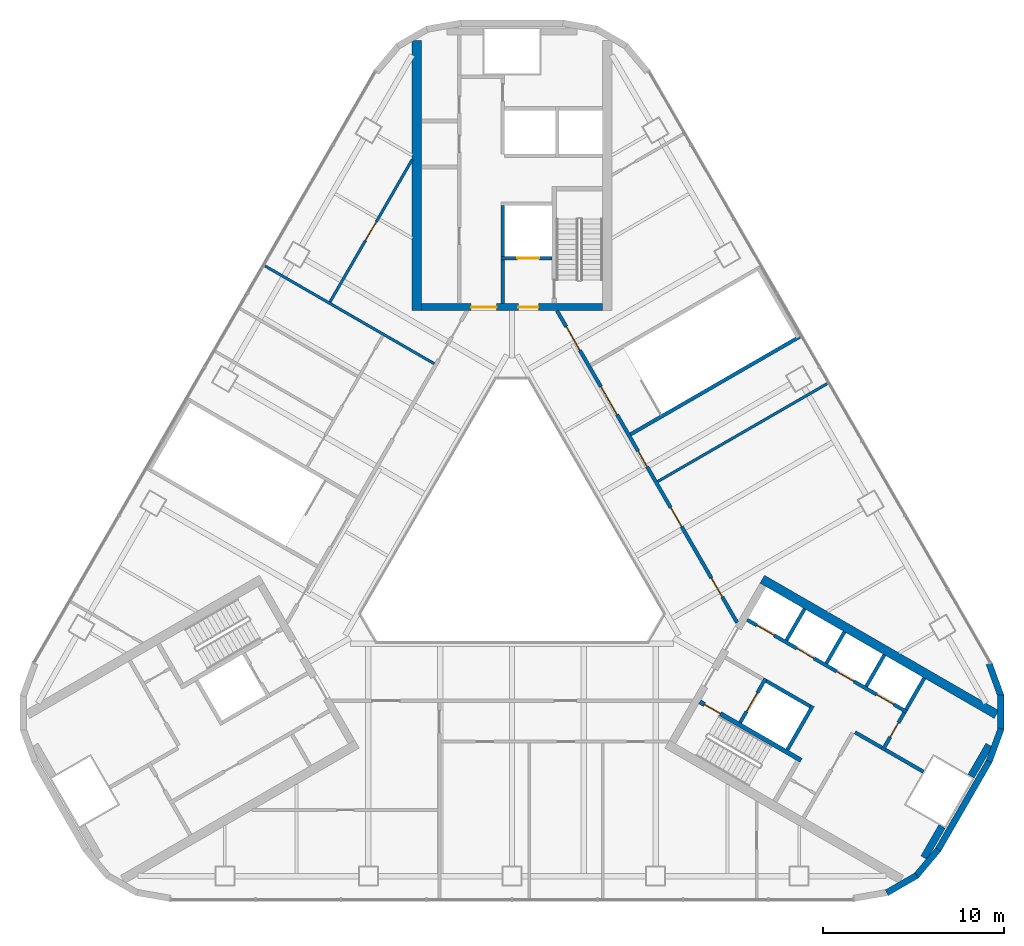
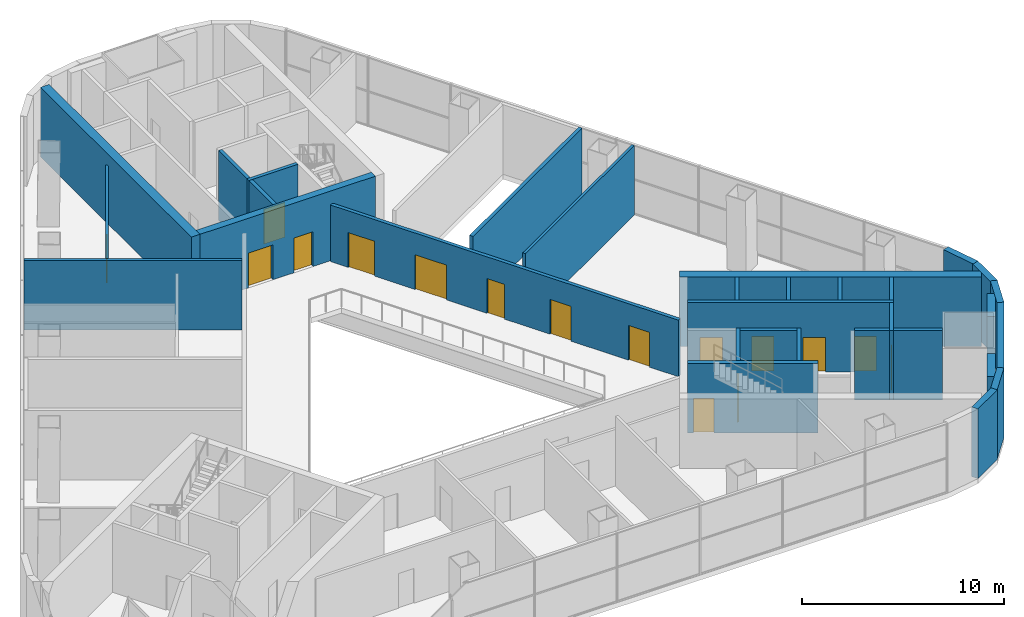
# One storey, part 9 of 12: 31 walls, 16 doors, 16 openings.
"""IFC4 building model written with IfcOpenShell, lengths in metres."""

import ifcopenshell
import ifcopenshell.guid

model = None  # the IFC model being written
_history = None  # IfcOwnerHistory: only IFC2X3 demands one
_inside = {}  # id of a spatial element -> (the spatial element, [elements in it])
_under = {}  # id of a project, library or spatial element -> (it, [spatial elements below it])
_declared = {}  # id of a project -> (the project, [libraries it declares])
_typed = {}  # id of a type object -> (the type object, [elements of that type])
_made_of = {}  # id of a material, layer set ... -> (it, [elements and type objects made of it])


def new_model(schema):
    """Start an empty IFC model of exactly this schema.

    Asked for "IFC4X3", IfcOpenShell would pick the latest addendum, in which some entities
    have other attributes; the version numbers below select the first issue.
    IFC2X3 requires an IfcOwnerHistory on every rooted entity: one is made here for all.
    """
    global model, _history
    if schema == "IFC4X3":
        model = ifcopenshell.file(schema_version=(4, 3, 0, 0))
    else:
        model = ifcopenshell.file(schema=schema)
    _inside.clear()
    _under.clear()
    _declared.clear()
    _typed.clear()
    _made_of.clear()
    _history = None
    if model.schema == "IFC2X3":
        org = make("IfcOrganization", Name="unknown")
        user = make(
            "IfcPersonAndOrganization",
            ThePerson=make("IfcPerson", FamilyName="unknown"),
            TheOrganization=org,
        )
        app = make(
            "IfcApplication",
            ApplicationDeveloper=org,
            Version="unknown",
            ApplicationFullName="unknown",
            ApplicationIdentifier="unknown",
        )
        _history = make(
            "IfcOwnerHistory",
            OwningUser=user,
            OwningApplication=app,
            ChangeAction="ADDED",
            CreationDate=0,
        )
    return model


def make(cls, **values):
    """One entity of the class cls with the attributes given. An attribute that is None is left unset."""
    return model.create_entity(
        cls, **{name: value for name, value in values.items() if value is not None}
    )


def rooted(cls, **values):
    """An entity with a GlobalId (a new one), such as an element, a storey or a relation."""
    return make(cls, GlobalId=ifcopenshell.guid.new(), OwnerHistory=_history, **values)


def si_unit(unit_type, name, prefix=None):
    """IfcSIUnit, for example si_unit("LENGTHUNIT", "METRE", prefix="MILLI")."""
    return make("IfcSIUnit", UnitType=unit_type, Prefix=prefix, Name=name)


def assignment(units):
    """IfcUnitAssignment: the units of a project."""
    return None if units is None else make("IfcUnitAssignment", Units=units)


def point(xyz):
    """IfcCartesianPoint."""
    return None if xyz is None else make("IfcCartesianPoint", Coordinates=xyz)


def direction(xyz):
    """IfcDirection."""
    return None if xyz is None else make("IfcDirection", DirectionRatios=xyz)


def frame(location, z_axis=None, x_axis=None):
    """IfcAxis2Placement3D, a coordinate frame: its origin and axes. An axis left out is left unset."""
    return make(
        "IfcAxis2Placement3D",
        Location=point(location),
        Axis=direction(z_axis),
        RefDirection=direction(x_axis),
    )


def frame_2d(location, x_axis=None):
    """IfcAxis2Placement2D, a coordinate frame in the plane: its origin and x axis."""
    return make(
        "IfcAxis2Placement2D", Location=point(location), RefDirection=direction(x_axis)
    )


def origin():
    """The frame at (0, 0, 0) with its axes left unset."""
    return frame((0.0, 0.0, 0.0))


def place(relative_to, where):
    """IfcLocalPlacement: puts the frame where relative to a parent placement (None: the world)."""
    return make(
        "IfcLocalPlacement", PlacementRelTo=relative_to, RelativePlacement=where
    )


def context(
    kind, dimensions, precision=None, world=None, true_north=None, identifier=None
):
    """IfcGeometricRepresentationContext, for example the 3D "Model" context."""
    return make(
        "IfcGeometricRepresentationContext",
        ContextIdentifier=identifier,
        ContextType=kind,
        CoordinateSpaceDimension=dimensions,
        Precision=precision,
        WorldCoordinateSystem=world,
        TrueNorth=true_north,
    )


def subcontext(parent, identifier, kind, view, scale=None):
    """IfcGeometricRepresentationSubContext, for example "Body" below "Model"."""
    return make(
        "IfcGeometricRepresentationSubContext",
        ContextIdentifier=identifier,
        ContextType=kind,
        ParentContext=parent,
        TargetScale=scale,
        TargetView=view,
    )


def project(units=None, contexts=None):
    """IfcProject with its units and contexts."""
    return rooted(
        "IfcProject",
        Name="project",
        RepresentationContexts=contexts,
        UnitsInContext=assignment(units),
    )


def spatial(cls, under=None, at=None, **own):
    """A site, building, storey or space (cls), placed at a placement, below another one or the project."""
    s = rooted(cls, ObjectPlacement=at, **own)
    if under is not None:
        _under.setdefault(under.id(), (under, []))[1].append(s)
    return s


def profile(cls, at=None, kind="AREA", **sizes):
    """A parametric profile (cls). Its sizes go by their IFC names, for example OverallWidth=200.0."""
    return make(cls, ProfileType=kind, Position=at, **sizes)


def rectangle(**sizes):
    """IfcRectangleProfileDef."""
    return profile("IfcRectangleProfileDef", **sizes)


def extrude(swept, where, along, depth):
    """IfcExtrudedAreaSolid: the profile swept, set in the frame where, extruded along a direction by depth."""
    return make(
        "IfcExtrudedAreaSolid",
        SweptArea=swept,
        Position=where,
        ExtrudedDirection=direction(along),
        Depth=depth,
    )


def shape(context_of_items, identifier, shape_type, items):
    """IfcShapeRepresentation: the items that make up one representation, for example the "Body"."""
    return make(
        "IfcShapeRepresentation",
        ContextOfItems=context_of_items,
        RepresentationIdentifier=identifier,
        RepresentationType=shape_type,
        Items=items,
    )


def material(Name=None, Category=None):
    """IfcMaterial."""
    return make("IfcMaterial", Name=Name, Category=Category)


def layer(
    of_material, thickness, ventilated=None, Name=None, Category=None, Priority=None
):
    """IfcMaterialLayer: one layer of a wall or slab, of a material (None: an air gap)."""
    return make(
        "IfcMaterialLayer",
        Material=of_material,
        LayerThickness=thickness,
        IsVentilated=ventilated,
        Name=Name,
        Category=Category,
        Priority=Priority,
    )


def layer_set(layers, Name=None):
    """IfcMaterialLayerSet."""
    return make("IfcMaterialLayerSet", MaterialLayers=layers, LayerSetName=Name)


def made_of(thing, what):
    """Note that an element or type object is made of a material, layer set ...; save() writes the relation."""
    if what is not None:
        _made_of.setdefault(what.id(), (what, []))[1].append(thing)
    return thing


def type_object(cls, material=None, **own):
    """A type object (cls), such as IfcWallType, which elements share."""
    return made_of(rooted(cls, **own), material)


def element(
    cls,
    number,
    at=None,
    inside=None,
    cuts=None,
    type_object=None,
    material=None,
    context=None,
    identifier="Body",
    shape_type=None,
    held_by="IfcProductDefinitionShape",
    body=None,
    shapes=None,
    **own,
):
    """One element of the class cls, such as IfcWall. Its Tag is "e" and its number.

    at: its placement. inside: the storey or other place that contains it. cuts: it is an
    opening in that element (IfcRelVoidsElement). A single representation is given by context,
    identifier, shape_type and body (its items); several are given by shapes. held_by: the class
    of the entity that holds the representations. save() writes the other relations.
    """
    e = rooted(cls, Tag="e%d" % number, ObjectPlacement=at, **own)
    if body is not None:
        shapes = [shape(context, identifier, shape_type, body)]
    if shapes is not None:
        e.Representation = make(held_by, Representations=shapes)
    if inside is not None:
        _inside.setdefault(inside.id(), (inside, []))[1].append(e)
    if cuts is not None:
        rooted(
            "IfcRelVoidsElement", RelatingBuildingElement=cuts, RelatedOpeningElement=e
        )
    if type_object is not None:
        _typed.setdefault(type_object.id(), (type_object, []))[1].append(e)
    return made_of(e, material)


def fill(opening, filler):
    """IfcRelFillsElement: the door or window that sits in an opening."""
    return rooted(
        "IfcRelFillsElement",
        RelatingOpeningElement=opening,
        RelatedBuildingElement=filler,
    )


def aggregate(whole, parts):
    """IfcRelAggregates: a whole, such as a stair, and the parts it consists of."""
    return rooted("IfcRelAggregates", RelatingObject=whole, RelatedObjects=parts)


def save(model, path):
    """Write the relations noted so far, then the file.

    IfcRelAggregates (storeys below a building ...), IfcRelContainedInSpatialStructure (elements
    in a storey), IfcRelDefinesByType, IfcRelAssociatesMaterial and IfcRelDeclares: one each for
    every whole, place, type object, material and project.
    """
    for whole, parts in _under.values():
        aggregate(whole, parts)
    for where, things in _inside.values():
        rooted(
            "IfcRelContainedInSpatialStructure",
            RelatedElements=things,
            RelatingStructure=where,
        )
    for kind, things in _typed.values():
        rooted("IfcRelDefinesByType", RelatedObjects=things, RelatingType=kind)
    for what, things in _made_of.values():
        rooted("IfcRelAssociatesMaterial", RelatedObjects=things, RelatingMaterial=what)
    for by, libraries in _declared.values():
        rooted("IfcRelDeclares", RelatingContext=by, RelatedDefinitions=libraries)
    model.write(path)


model = new_model("IFC4")

# Units and contexts
model_context = context("Model", 3, precision=1e-05, world=origin(), true_north=direction((0.0, 1.0)))
body_context = subcontext(model_context, "Body", "Model", "MODEL_VIEW")
ifc_project = project(units=[si_unit("LENGTHUNIT", "METRE"), si_unit("AREAUNIT", "SQUARE_METRE"), si_unit("VOLUMEUNIT", "CUBIC_METRE"), si_unit("PLANEANGLEUNIT", "RADIAN"), si_unit("MASSUNIT", "GRAM", prefix="KILO")], contexts=[model_context])

# Site, building, storey
site_placement = place(None, origin())
site = spatial("IfcSite", under=ifc_project, at=site_placement, CompositionType="ELEMENT")
building_placement = place(site_placement, origin())
building = spatial("IfcBuilding", under=site, at=building_placement, Name="Apuvela Tower Hotel", CompositionType="ELEMENT")
storey_placement = place(building_placement, frame((0.0, 0.0, 33.0)))
storey = spatial("IfcBuildingStorey", under=building, at=storey_placement, Name="L05", CompositionType="ELEMENT", Elevation=33.0)

# Wall, openings, doors
ifc_material_1 = material(Name="Concrete C50/60", Category="concrete")
ifc_layer_1 = layer(ifc_material_1, 0.39990234375)
ifc_layer_set_1 = layer_set([ifc_layer_1], Name="COR-WALL-CORE-400")
wall_type_1 = type_object("IfcWallType", Name="COR-WALL-CORE-400", PredefinedType="SHEAR", material=ifc_layer_set_1)
wall_1_placement = place(storey_placement, frame((5.0, 13.10009765625, 0.0), z_axis=(0.0, 0.0, 1.0), x_axis=(-1.0, 0.0, 0.0)))
wall_1 = element("IfcWall", 1, at=wall_1_placement, inside=storey, type_object=wall_type_1, Name="Core wall N", PredefinedType="SHEAR", context=body_context, shape_type="SweptSolid", body=[
    extrude(rectangle(XDim=10.0, YDim=0.39990234375, at=frame_2d((5.0, 0.0))), origin(), (0.0, 0.0, 1.0), 4.199951171875),
])
opening_1_placement = place(wall_1_placement, frame((3.550048828125, 0.0, 0.0)))
opening_1 = element("IfcOpeningElement", 2, at=opening_1_placement, cuts=wall_1, Name="Opening N-FD", PredefinedType="OPENING", context=body_context, shape_type="SweptSolid", body=[
    extrude(rectangle(XDim=1.10009765625, YDim=2.10009765625, at=frame_2d((0.550048828125, 1.050048828125))), frame((0.0, 0.2099609375, 0.0), z_axis=(0.0, -1.0, 0.0), x_axis=(1.0, 0.0, 0.0)), (0.0, 0.0, 1.0), 0.419921875),
])
opening_2_placement = place(wall_1_placement, frame((5.85009765625, 0.0, 0.0)))
opening_2 = element("IfcOpeningElement", 3, at=opening_2_placement, cuts=wall_1, Name="Opening N-GD", PredefinedType="OPENING", context=body_context, shape_type="SweptSolid", body=[
    extrude(rectangle(XDim=1.39990234375, YDim=2.10009765625, at=frame_2d((0.699951171875, 1.050048828125))), frame((0.0, 0.2099609375, 0.0), z_axis=(0.0, -1.0, 0.0), x_axis=(1.0, 0.0, 0.0)), (0.0, 0.0, 1.0), 0.419921875),
])
ifc_material_2 = material(Name="Steel fire door, powder coated", Category="steel")
door_type_1 = type_object("IfcDoorType", Name="COR-FD-1100", OperationType="NOTDEFINED", PredefinedType="DOOR", material=ifc_material_2)
door_1_placement = place(opening_1_placement, frame((1.10009765625, 0.0, 0.0), z_axis=(0.0, 0.0, 1.0), x_axis=(-1.0, 0.0, 0.0)))
door_1 = element("IfcDoor", 4, at=door_1_placement, inside=storey, type_object=door_type_1, Name="Firefighting lobby door N-FD", OperationType="SINGLE_SWING_LEFT", OverallHeight=2.10009765625, OverallWidth=1.10009765625, PredefinedType="DOOR", context=body_context, shape_type="SweptSolid", body=[
    extrude(rectangle(XDim=1.10009765625, YDim=2.10009765625, at=frame_2d((0.550048828125, 1.050048828125))), frame((0.0, 0.02490234375, 0.0), z_axis=(0.0, -1.0, 0.0), x_axis=(1.0, 0.0, 0.0)), (0.0, 0.0, 1.0), 0.050048828125),
])
fill(opening_1, door_1)
ifc_material_3 = material(Name="Glazed steel fire door", Category="steel")
door_type_2 = type_object("IfcDoorType", Name="COR-GD-1400", OperationType="DOUBLE_DOOR_SINGLE_SWING", PredefinedType="DOOR", material=ifc_material_3)
door_2_placement = place(opening_2_placement, frame((1.39990234375, 0.0, 0.0), z_axis=(0.0, 0.0, 1.0), x_axis=(-1.0, 0.0, 0.0)))
door_2 = element("IfcDoor", 5, at=door_2_placement, inside=storey, type_object=door_type_2, Name="Lift lobby door N-GD", OperationType="DOUBLE_DOOR_SINGLE_SWING", OverallHeight=2.10009765625, OverallWidth=1.39990234375, PredefinedType="DOOR", context=body_context, shape_type="SweptSolid", body=[
    extrude(rectangle(XDim=1.39990234375, YDim=2.10009765625, at=frame_2d((0.699951171875, 1.050048828125))), frame((0.0, 0.02490234375, 0.0), z_axis=(0.0, -1.0, 0.0), x_axis=(1.0, 0.0, 0.0)), (0.0, 0.0, 1.0), 0.050048828125),
])
fill(opening_2, door_2)

# Walls
for number, where, z_axis, x_axis, name in (
    (6, (25.30859375, -12.764404296875, 0.0), (0.0, 0.0, 1.0), (0.499927872096, 0.866067042845, 0.0), "Core wall SE"),
    (7, (22.714111328125, -17.25830078125, 0.0), (0.0, 0.0, 1.0), (0.499927872096, 0.866067042845, 0.0), "Core wall SE"),
):
    element("IfcWall", number, at=place(storey_placement, frame(where, z_axis=z_axis, x_axis=x_axis)), inside=storey, type_object=wall_type_1, Name=name, PredefinedType="SHEAR", context=body_context, shape_type="SweptSolid", body=[
        extrude(rectangle(XDim=1.989013671875, YDim=0.39990234375, at=frame_2d((0.99462890625, 0.0))), origin(), (0.0, 0.0, 1.0), 4.199951171875),
    ])
ifc_layer_2 = layer(ifc_material_1, 0.5)
ifc_layer_set_2 = layer_set([ifc_layer_2], Name="COR-WALL-CORE-500")
wall_type_2 = type_object("IfcWallType", Name="COR-WALL-CORE-500", PredefinedType="SHEAR", material=ifc_layer_set_2)
wall_2_placement = place(storey_placement, frame((-5.25, 12.89990234375, 0.0), z_axis=(0.0, 0.0, 1.0), x_axis=(0.0, 1.0, 0.0)))
element("IfcWall", 8, at=wall_2_placement, inside=storey, type_object=wall_type_2, Name="Core wall N", PredefinedType="SHEAR", context=body_context, shape_type="SweptSolid", body=[
    extrude(rectangle(XDim=14.910400390625, YDim=0.5, at=frame_2d((7.455078125, 0.0))), origin(), (0.0, 0.0, 1.0), 4.199951171875),
])
wall_3_placement = place(storey_placement, frame((13.796630859375, -1.9033203125, 0.0), z_axis=(0.0, 0.0, 1.0), x_axis=(0.866025798973, -0.499999315512, 0.0)))
element("IfcWall", 9, at=wall_3_placement, inside=storey, type_object=wall_type_2, Name="Core wall SE", PredefinedType="SHEAR", context=body_context, shape_type="SweptSolid", body=[
    extrude(rectangle(XDim=14.91015625, YDim=0.5, at=frame_2d((7.455078125, 0.0))), origin(), (0.0, 0.0, 1.0), 4.199951171875),
])

# Wall, opening, door
ifc_layer_3 = layer(ifc_material_1, 0.199951171875)
ifc_layer_set_3 = layer_set([ifc_layer_3], Name="COR-WALL-SHAFT-200")
wall_type_3 = type_object("IfcWallType", Name="COR-WALL-SHAFT-200", PredefinedType="SHEAR", material=ifc_layer_set_3)
wall_4_placement = place(storey_placement, frame((2.199951171875, 15.800048828125, 0.0), z_axis=(0.0, 0.0, 1.0), x_axis=(-1.0, 0.0, 0.0)))
wall_4 = element("IfcWall", 10, at=wall_4_placement, inside=storey, type_object=wall_type_3, Name="Shaft wall N", PredefinedType="SHEAR", context=body_context, shape_type="SweptSolid", body=[
    extrude(rectangle(XDim=2.800048828125, YDim=0.199951171875, at=frame_2d((1.39990234375, 0.0))), origin(), (0.0, 0.0, 1.0), 4.199951171875),
])
opening_3_placement = place(wall_4_placement, frame((0.699951171875, 0.0, 0.0)))
opening_3 = element("IfcOpeningElement", 11, at=opening_3_placement, cuts=wall_4, Name="Opening N-LD-FS1", PredefinedType="OPENING", context=body_context, shape_type="SweptSolid", body=[
    extrude(rectangle(XDim=1.199951171875, YDim=2.10009765625, at=frame_2d((0.60009765625, 1.050048828125))), frame((0.0, 0.10986328125, 0.0), z_axis=(0.0, -1.0, 0.0), x_axis=(1.0, 0.0, 0.0)), (0.0, 0.0, 1.0), 0.219970703125),
])
ifc_material_4 = material(Name="Stainless steel lift landing door", Category="steel")
door_type_3 = type_object("IfcDoorType", Name="COR-LD-1200", OperationType="DOUBLE_DOOR_SLIDING", PredefinedType="DOOR", material=ifc_material_4)
door_3_placement = place(opening_3_placement, origin())
door_3 = element("IfcDoor", 12, at=door_3_placement, inside=storey, type_object=door_type_3, Name="Lift landing door N-LD-FS1", OperationType="DOUBLE_DOOR_SLIDING", OverallHeight=2.10009765625, OverallWidth=1.199951171875, PredefinedType="DOOR", context=body_context, shape_type="SweptSolid", body=[
    extrude(rectangle(XDim=1.199951171875, YDim=2.10009765625, at=frame_2d((0.60009765625, 1.050048828125))), frame((0.0, 0.02490234375, 0.0), z_axis=(0.0, -1.0, 0.0), x_axis=(1.0, 0.0, 0.0)), (0.0, 0.0, 1.0), 0.050048828125),
])
fill(opening_3, door_3)

# Walls
wall_5_placement = place(storey_placement, frame((-0.5, 15.89990234375, 0.0), z_axis=(0.0, 0.0, 1.0), x_axis=(0.0, 1.0, 0.0)))
element("IfcWall", 13, at=wall_5_placement, inside=storey, type_object=wall_type_3, Name="Shaft wall N", PredefinedType="SHEAR", context=body_context, shape_type="SweptSolid", body=[
    extrude(rectangle(XDim=2.800048828125, YDim=0.199951171875, at=frame_2d((1.39990234375, 0.0))), origin(), (0.0, 0.0, 1.0), 4.199951171875),
])
wall_6_placement = place(storey_placement, frame((-0.5, 13.300048828125, 0.0), z_axis=(0.0, 0.0, 1.0), x_axis=(0.0, 1.0, 0.0)))
element("IfcWall", 14, at=wall_6_placement, inside=storey, type_object=wall_type_3, Name="Shaft wall N", PredefinedType="SHEAR", context=body_context, shape_type="SweptSolid", body=[
    extrude(rectangle(XDim=2.39990234375, YDim=0.199951171875, at=frame_2d((1.199951171875, 0.0))), origin(), (0.0, 0.0, 1.0), 4.199951171875),
])
wall_7_placement = place(storey_placement, frame((15.181396484375, -11.305419921875, 0.0), z_axis=(0.0, 0.0, 1.0), x_axis=(0.49994636267, 0.866056369097, 0.0)))
element("IfcWall", 15, at=wall_7_placement, inside=storey, type_object=wall_type_3, Name="Shaft wall SE", PredefinedType="SHEAR", context=body_context, shape_type="SweptSolid", body=[
    extrude(rectangle(XDim=2.800048828125, YDim=0.199951171875, at=frame_2d((1.39990234375, 0.0))), origin(), (0.0, 0.0, 1.0), 4.199951171875),
])

# Wall, opening, door
wall_8_placement = place(storey_placement, frame((12.583251953125, -9.805419921875, 0.0), z_axis=(0.0, 0.0, 1.0), x_axis=(0.49994636267, 0.866056369097, 0.0)))
wall_8 = element("IfcWall", 16, at=wall_8_placement, inside=storey, type_object=wall_type_3, Name="Shaft wall SE", PredefinedType="SHEAR", context=body_context, shape_type="SweptSolid", body=[
    extrude(rectangle(XDim=2.800048828125, YDim=0.199951171875, at=frame_2d((1.39990234375, 0.0))), origin(), (0.0, 0.0, 1.0), 4.199951171875),
])
opening_4_placement = place(wall_8_placement, frame((0.699951171875, 0.0, 0.0)))
opening_4 = element("IfcOpeningElement", 17, at=opening_4_placement, cuts=wall_8, Name="Opening E-LD-FS3", PredefinedType="OPENING", context=body_context, shape_type="SweptSolid", body=[
    extrude(rectangle(XDim=1.199951171875, YDim=2.10009765625, at=frame_2d((0.60009765625, 1.050048828125))), frame((0.0, 0.10986328125, 0.0), z_axis=(0.0, -1.0, 0.0), x_axis=(1.0, 0.0, 0.0)), (0.0, 0.0, 1.0), 0.219970703125),
])
door_4_placement = place(opening_4_placement, origin())
door_4 = element("IfcDoor", 18, at=door_4_placement, inside=storey, type_object=door_type_3, Name="Lift landing door E-LD-FS3", OperationType="DOUBLE_DOOR_SLIDING", OverallHeight=2.10009765625, OverallWidth=1.199951171875, PredefinedType="DOOR", context=body_context, shape_type="SweptSolid", body=[
    extrude(rectangle(XDim=1.199951171875, YDim=2.10009765625, at=frame_2d((0.60009765625, 1.050048828125))), frame((0.0, 0.02490234375, 0.0), z_axis=(0.0, -1.0, 0.0), x_axis=(1.0, 0.0, 0.0)), (0.0, 0.0, 1.0), 0.050048828125),
])
fill(opening_4, door_4)

# Wall
wall_9_placement = place(storey_placement, frame((14.019775390625, -7.51708984375, 0.0), z_axis=(0.0, 0.0, 1.0), x_axis=(0.866034573852, -0.49998411664, 0.0)))
element("IfcWall", 19, at=wall_9_placement, inside=storey, type_object=wall_type_3, Name="Shaft wall SE", PredefinedType="SHEAR", context=body_context, shape_type="SweptSolid", body=[
    extrude(rectangle(XDim=2.7998046875, YDim=0.199951171875, at=frame_2d((1.39990234375, 0.0))), origin(), (0.0, 0.0, 1.0), 4.199951171875),
])

# Wall, openings, doors
wall_10_placement = place(storey_placement, frame((12.968017578125, -4.138427734375, 0.0), z_axis=(0.0, 0.0, 1.0), x_axis=(0.866028328073, -0.49999493495, 0.0)))
wall_10 = element("IfcWall", 20, at=wall_10_placement, inside=storey, type_object=wall_type_3, Name="Shaft wall SE", PredefinedType="SHEAR", context=body_context, shape_type="SweptSolid", body=[
    extrude(rectangle(XDim=10.16015625, YDim=0.199951171875, at=frame_2d((5.080078125, 0.0))), origin(), (0.0, 0.0, 1.0), 4.199951171875),
])
opening_5_placement = place(wall_10_placement, frame((0.6201171875, 0.0, 0.0)))
opening_5 = element("IfcOpeningElement", 21, at=opening_5_placement, cuts=wall_10, Name="Opening E-LD-LR1", PredefinedType="OPENING", context=body_context, shape_type="SweptSolid", body=[
    extrude(rectangle(XDim=1.10009765625, YDim=2.10009765625, at=frame_2d((0.550048828125, 1.050048828125))), frame((0.0, 0.10986328125, 0.0), z_axis=(0.0, -1.0, 0.0), x_axis=(1.0, 0.0, 0.0)), (0.0, 0.0, 1.0), 0.219970703125),
])
opening_6_placement = place(wall_10_placement, frame((3.159912109375, 0.0, 0.0)))
opening_6 = element("IfcOpeningElement", 22, at=opening_6_placement, cuts=wall_10, Name="Opening E-LD-LR2", PredefinedType="OPENING", context=body_context, shape_type="SweptSolid", body=[
    extrude(rectangle(XDim=1.10009765625, YDim=2.10009765625, at=frame_2d((0.550048828125, 1.050048828125))), frame((0.0, 0.10986328125, 0.0), z_axis=(0.0, -1.0, 0.0), x_axis=(1.0, 0.0, 0.0)), (0.0, 0.0, 1.0), 0.219970703125),
])
opening_7_placement = place(wall_10_placement, frame((5.699951171875, 0.0, 0.0)))
opening_7 = element("IfcOpeningElement", 23, at=opening_7_placement, cuts=wall_10, Name="Opening E-LD-LR3", PredefinedType="OPENING", context=body_context, shape_type="SweptSolid", body=[
    extrude(rectangle(XDim=1.10009765625, YDim=2.10009765625, at=frame_2d((0.550048828125, 1.050048828125))), frame((0.0, 0.10986328125, 0.0), z_axis=(0.0, -1.0, 0.0), x_axis=(1.0, 0.0, 0.0)), (0.0, 0.0, 1.0), 0.219970703125),
])
opening_8_placement = place(wall_10_placement, frame((8.239990234375, 0.0, 0.0)))
opening_8 = element("IfcOpeningElement", 24, at=opening_8_placement, cuts=wall_10, Name="Opening E-LD-LR4", PredefinedType="OPENING", context=body_context, shape_type="SweptSolid", body=[
    extrude(rectangle(XDim=1.10009765625, YDim=2.10009765625, at=frame_2d((0.550048828125, 1.050048828125))), frame((0.0, 0.10986328125, 0.0), z_axis=(0.0, -1.0, 0.0), x_axis=(1.0, 0.0, 0.0)), (0.0, 0.0, 1.0), 0.219970703125),
])
door_type_4 = type_object("IfcDoorType", Name="COR-LD-1100", OperationType="DOUBLE_DOOR_SLIDING", PredefinedType="DOOR", material=ifc_material_4)
door_5_placement = place(opening_5_placement, origin())
door_5 = element("IfcDoor", 25, at=door_5_placement, inside=storey, type_object=door_type_4, Name="Lift landing door E-LD-LR1", OperationType="DOUBLE_DOOR_SLIDING", OverallHeight=2.10009765625, OverallWidth=1.10009765625, PredefinedType="DOOR", context=body_context, shape_type="SweptSolid", body=[
    extrude(rectangle(XDim=1.10009765625, YDim=2.10009765625, at=frame_2d((0.550048828125, 1.050048828125))), frame((0.0, 0.02490234375, 0.0), z_axis=(0.0, -1.0, 0.0), x_axis=(1.0, 0.0, 0.0)), (0.0, 0.0, 1.0), 0.050048828125),
])
fill(opening_5, door_5)
door_6_placement = place(opening_6_placement, origin())
door_6 = element("IfcDoor", 26, at=door_6_placement, inside=storey, type_object=door_type_4, Name="Lift landing door E-LD-LR2", OperationType="DOUBLE_DOOR_SLIDING", OverallHeight=2.10009765625, OverallWidth=1.10009765625, PredefinedType="DOOR", context=body_context, shape_type="SweptSolid", body=[
    extrude(rectangle(XDim=1.10009765625, YDim=2.10009765625, at=frame_2d((0.550048828125, 1.050048828125))), frame((0.0, 0.02490234375, 0.0), z_axis=(0.0, -1.0, 0.0), x_axis=(1.0, 0.0, 0.0)), (0.0, 0.0, 1.0), 0.050048828125),
])
fill(opening_6, door_6)
door_7_placement = place(opening_7_placement, origin())
door_7 = element("IfcDoor", 27, at=door_7_placement, inside=storey, type_object=door_type_4, Name="Lift landing door E-LD-LR3", OperationType="DOUBLE_DOOR_SLIDING", OverallHeight=2.10009765625, OverallWidth=1.10009765625, PredefinedType="DOOR", context=body_context, shape_type="SweptSolid", body=[
    extrude(rectangle(XDim=1.10009765625, YDim=2.10009765625, at=frame_2d((0.550048828125, 1.050048828125))), frame((0.0, 0.02490234375, 0.0), z_axis=(0.0, -1.0, 0.0), x_axis=(1.0, 0.0, 0.0)), (0.0, 0.0, 1.0), 0.050048828125),
])
fill(opening_7, door_7)
door_8_placement = place(opening_8_placement, origin())
door_8 = element("IfcDoor", 28, at=door_8_placement, inside=storey, type_object=door_type_4, Name="Lift landing door E-LD-LR4", OperationType="DOUBLE_DOOR_SLIDING", OverallHeight=2.10009765625, OverallWidth=1.10009765625, PredefinedType="DOOR", context=body_context, shape_type="SweptSolid", body=[
    extrude(rectangle(XDim=1.10009765625, YDim=2.10009765625, at=frame_2d((0.550048828125, 1.050048828125))), frame((0.0, 0.02490234375, 0.0), z_axis=(0.0, -1.0, 0.0), x_axis=(1.0, 0.0, 0.0)), (0.0, 0.0, 1.0), 0.050048828125),
])
fill(opening_8, door_8)

# Wall, opening, door
wall_11_placement = place(storey_placement, frame((20.430419921875, -11.33349609375, 0.0), z_axis=(0.0, 0.0, 1.0), x_axis=(0.500001309137, 0.866024647952, 0.0)))
wall_11 = element("IfcWall", 29, at=wall_11_placement, inside=storey, type_object=wall_type_3, Name="Shaft wall SE", PredefinedType="SHEAR", context=body_context, shape_type="SweptSolid", body=[
    extrude(rectangle(XDim=2.39990234375, YDim=0.199951171875, at=frame_2d((1.199951171875, 0.0))), origin(), (0.0, 0.0, 1.0), 4.199951171875),
])
opening_9_placement = place(wall_11_placement, frame((0.85009765625, 0.0, 0.0)))
opening_9 = element("IfcOpeningElement", 30, at=opening_9_placement, cuts=wall_11, Name="Opening E-REP", PredefinedType="OPENING", context=body_context, shape_type="SweptSolid", body=[
    extrude(rectangle(XDim=0.89990234375, YDim=2.10009765625, at=frame_2d((0.449951171875, 1.050048828125))), frame((0.0, 0.10986328125, 0.0), z_axis=(0.0, -1.0, 0.0), x_axis=(1.0, 0.0, 0.0)), (0.0, 0.0, 1.0), 0.219970703125),
])
door_type_5 = type_object("IfcDoorType", Name="COR-DR-900", OperationType="NOTDEFINED", PredefinedType="DOOR", material=ifc_material_2)
door_9_placement = place(opening_9_placement, frame((0.89990234375, 0.0, 0.0), z_axis=(0.0, 0.0, 1.0), x_axis=(-1.0, 0.0, 0.0)))
door_9 = element("IfcDoor", 31, at=door_9_placement, inside=storey, type_object=door_type_5, Name="Store door E-REP", OperationType="SINGLE_SWING_RIGHT", OverallHeight=2.10009765625, OverallWidth=0.89990234375, PredefinedType="DOOR", context=body_context, shape_type="SweptSolid", body=[
    extrude(rectangle(XDim=0.89990234375, YDim=2.10009765625, at=frame_2d((0.449951171875, 1.050048828125))), frame((0.0, 0.02490234375, 0.0), z_axis=(0.0, -1.0, 0.0), x_axis=(1.0, 0.0, 0.0)), (0.0, 0.0, 1.0), 0.050048828125),
])
fill(opening_9, door_9)

# Walls
wall_12_placement = place(storey_placement, frame((18.912841796875, -10.342041015625, 0.0), z_axis=(0.0, 0.0, 1.0), x_axis=(0.866038183914, -0.499977863513, 0.0)))
element("IfcWall", 32, at=wall_12_placement, inside=storey, type_object=wall_type_3, Name="Shaft wall SE", PredefinedType="SHEAR", context=body_context, shape_type="SweptSolid", body=[
    extrude(rectangle(XDim=1.7099609375, YDim=0.199951171875, at=frame_2d((0.85498046875, 0.0))), origin(), (0.0, 0.0, 1.0), 4.199951171875),
])
for number, where, z_axis, x_axis, name in (
    (33, (15.131103515625, -5.27197265625, 0.0), (0.0, 0.0, 1.0), (0.499972520799, 0.866041268327, 0.0), "Shaft wall SE"),
    (34, (17.330810546875, -6.5419921875, 0.0), (0.0, 0.0, 1.0), (0.499972520799, 0.866041268327, 0.0), "Shaft wall SE"),
    (35, (19.530517578125, -7.81201171875, 0.0), (0.0, 0.0, 1.0), (0.499972520799, 0.866041268327, 0.0), "Shaft wall SE"),
    (36, (21.73046875, -9.081787109375, 0.0), (0.0, 0.0, 1.0), (0.50002537861, 0.866010750942, 0.0), "Shaft wall SE"),
):
    element("IfcWall", number, at=place(storey_placement, frame(where, z_axis=z_axis, x_axis=x_axis)), inside=storey, type_object=wall_type_3, Name=name, PredefinedType="SHEAR", context=body_context, shape_type="SweptSolid", body=[
        extrude(rectangle(XDim=2.0, YDim=0.199951171875, at=frame_2d((1.0, 0.0))), origin(), (0.0, 0.0, 1.0), 4.199951171875),
    ])
wall_13_placement = place(storey_placement, frame((20.56689453125, -11.297119140625, 0.0), z_axis=(0.0, 0.0, 1.0), x_axis=(0.866048967903, -0.499959183527, 0.0)))
element("IfcWall", 37, at=wall_13_placement, inside=storey, type_object=wall_type_3, Name="Shaft wall SE", PredefinedType="SHEAR", context=body_context, shape_type="SweptSolid", body=[
    extrude(rectangle(XDim=2.440185546875, YDim=0.199951171875, at=frame_2d((1.22021484375, 0.0))), origin(), (0.0, 0.0, 1.0), 4.199951171875),
])

# Wall, opening, door
ifc_layer_4 = layer(ifc_material_1, 0.25)
ifc_layer_set_4 = layer_set([ifc_layer_4], Name="COR-WALL-STAIR-250")
wall_type_4 = type_object("IfcWallType", Name="COR-WALL-STAIR-250", PredefinedType="SHEAR", material=ifc_layer_set_4)
wall_14_placement = place(storey_placement, frame((10.355712890625, -8.66357421875, 0.0), z_axis=(0.0, 0.0, 1.0), x_axis=(0.866028629588, -0.499994412703, 0.0)))
wall_14 = element("IfcWall", 38, at=wall_14_placement, inside=storey, type_object=wall_type_4, Name="Stair wall SE", PredefinedType="SHEAR", context=body_context, shape_type="SweptSolid", body=[
    extrude(rectangle(XDim=6.44970703125, YDim=0.25, at=frame_2d((3.224853515625, 0.0))), origin(), (0.0, 0.0, 1.0), 4.199951171875),
])
opening_10_placement = place(wall_14_placement, frame((0.300048828125, 0.0, 0.0)))
opening_10 = element("IfcOpeningElement", 39, at=opening_10_placement, cuts=wall_14, Name="Opening E-SD", PredefinedType="OPENING", context=body_context, shape_type="SweptSolid", body=[
    extrude(rectangle(XDim=1.0, YDim=2.10009765625, at=frame_2d((0.5, 1.050048828125))), frame((0.0, 0.135009765625, 0.0), z_axis=(0.0, -1.0, 0.0), x_axis=(1.0, 0.0, 0.0)), (0.0, 0.0, 1.0), 0.27001953125),
])
door_type_6 = type_object("IfcDoorType", Name="COR-SD-1000", OperationType="NOTDEFINED", PredefinedType="DOOR", material=ifc_material_2)
door_10_placement = place(opening_10_placement, frame((1.0, 0.0, 0.0), z_axis=(0.0, 0.0, 1.0), x_axis=(-1.0, 0.0, 0.0)))
door_10 = element("IfcDoor", 40, at=door_10_placement, inside=storey, type_object=door_type_6, Name="Stair door E-SD", OperationType="SINGLE_SWING_LEFT", OverallHeight=2.10009765625, OverallWidth=1.0, PredefinedType="DOOR", context=body_context, shape_type="SweptSolid", body=[
    extrude(rectangle(XDim=1.0, YDim=2.10009765625, at=frame_2d((0.5, 1.050048828125))), frame((0.0, 0.02490234375, 0.0), z_axis=(0.0, -1.0, 0.0), x_axis=(1.0, 0.0, 0.0)), (0.0, 0.0, 1.0), 0.050048828125),
])
fill(opening_10, door_10)

# Walls
ifc_material_5 = material(Name="Concrete C40/50, dark pigmented precast panel", Category="concrete")
ifc_layer_5 = layer(ifc_material_5, 0.35009765625)
ifc_layer_set_5 = layer_set([ifc_layer_5], Name="ENV-WALL-350")
wall_type_5 = type_object("IfcWallType", Name="ENV-WALL-350", PredefinedType="SOLIDWALL", material=ifc_layer_set_5)
wall_15_placement = place(storey_placement, frame((20.657958984375, -19.192138671875, 0.0), z_axis=(0.0, 0.0, 1.0), x_axis=(0.865990234582, 0.500060909899, 0.0)))
element("IfcWall", 41, at=wall_15_placement, inside=storey, type_object=wall_type_5, Name="External wall L05-17", PredefinedType="SOLIDWALL", context=body_context, shape_type="SweptSolid", body=[
    extrude(rectangle(XDim=1.914794921875, YDim=0.35009765625, at=frame_2d((0.95751953125, 0.0))), origin(), (0.0, 0.0, 1.0), 4.199951171875),
])
wall_16_placement = place(storey_placement, frame((22.26953125, -18.273681640625, 0.0), z_axis=(0.0, 0.0, 1.0), x_axis=(0.64282715853, 0.766011255959, 0.0)))
element("IfcWall", 42, at=wall_16_placement, inside=storey, type_object=wall_type_5, Name="External wall L05-18", PredefinedType="SOLIDWALL", context=body_context, shape_type="SweptSolid", body=[
    extrude(rectangle(XDim=1.91455078125, YDim=0.35009765625, at=frame_2d((0.957275390625, 0.0))), origin(), (0.0, 0.0, 1.0), 4.199951171875),
])
wall_17_placement = place(storey_placement, frame((23.48291015625, -16.83203125, 0.0), z_axis=(0.0, 0.0, 1.0), x_axis=(0.499982068559, 0.866035756259, 0.0)))
element("IfcWall", 43, at=wall_17_placement, inside=storey, type_object=wall_type_5, Name="External wall L05-19", PredefinedType="SOLIDWALL", context=body_context, shape_type="SweptSolid", body=[
    extrude(rectangle(XDim=5.671142578125, YDim=0.35009765625, at=frame_2d((2.83544921875, 0.0))), origin(), (0.0, 0.0, 1.0), 4.199951171875),
])
for number, where, z_axis, x_axis, name in (
    (44, (26.305419921875, -11.9482421875, 0.0), (0.0, 0.0, 1.0), (0.342121856274, 0.939655594066, 0.0), "External wall L05-20"),
    (45, (26.94970703125, -10.208984375, 0.0), (0.0, 0.0, 1.0), (0.0, 1.0, 0.0), "External wall L05-21"),
    (46, (26.96044921875, -8.354248046875, 0.0), (0.0, 0.0, 1.0), (-0.342121856274, 0.939655594066, 0.0), "External wall L05-22"),
):
    element("IfcWall", number, at=place(storey_placement, frame(where, z_axis=z_axis, x_axis=x_axis)), inside=storey, type_object=wall_type_5, Name=name, PredefinedType="SOLIDWALL", context=body_context, shape_type="SweptSolid", body=[
        extrude(rectangle(XDim=1.91455078125, YDim=0.35009765625, at=frame_2d((0.957275390625, 0.0))), origin(), (0.0, 0.0, 1.0), 4.199951171875),
    ])

# Wall, openings, doors
ifc_material_6 = material(Name="Fire-rated gypsum board partition on steel stud", Category="steel")
ifc_layer_6 = layer(ifc_material_6, 0.199951171875)
ifc_layer_set_6 = layer_set([ifc_layer_6], Name="SPC-WALL-CORRIDOR")
wall_type_6 = type_object("IfcWallType", Name="SPC-WALL-CORRIDOR", PredefinedType="PARTITIONING", material=ifc_layer_set_6)
wall_18_placement = place(storey_placement, frame((12.4130859375, -4.300048828125, 0.0), z_axis=(0.0, 0.0, 1.0), x_axis=(-0.50000478328, 0.866022642139, 0.0)))
wall_18 = element("IfcWall", 47, at=wall_18_placement, inside=storey, type_object=wall_type_6, Name="Wall L05-NE-CW", PredefinedType="PARTITIONING", context=body_context, shape_type="SweptSolid", body=[
    extrude(rectangle(XDim=19.861083984375, YDim=0.199951171875, at=frame_2d((9.9306640625, 0.0))), origin(), (0.0, 0.0, 1.0), 3.409912109375),
])
opening_11_placement = place(wall_18_placement, frame((1.641845703125, 0.0, 0.0)))
opening_11 = element("IfcOpeningElement", 48, at=opening_11_placement, cuts=wall_18, Name="Opening L05-S01", PredefinedType="OPENING", context=body_context, shape_type="SweptSolid", body=[
    extrude(rectangle(XDim=1.199951171875, YDim=2.10009765625, at=frame_2d((0.60009765625, 1.050048828125))), frame((0.0, 0.10986328125, 0.0), z_axis=(0.0, -1.0, 0.0), x_axis=(1.0, 0.0, 0.0)), (0.0, 0.0, 1.0), 0.219970703125),
])
opening_12_placement = place(wall_18_placement, frame((6.125244140625, 0.0, 0.0)))
opening_12 = element("IfcOpeningElement", 49, at=opening_12_placement, cuts=wall_18, Name="Opening L05-S02", PredefinedType="OPENING", context=body_context, shape_type="SweptSolid", body=[
    extrude(rectangle(XDim=1.199951171875, YDim=2.10009765625, at=frame_2d((0.60009765625, 1.050048828125))), frame((0.0, 0.10986328125, 0.0), z_axis=(0.0, -1.0, 0.0), x_axis=(1.0, 0.0, 0.0)), (0.0, 0.0, 1.0), 0.219970703125),
])
opening_13_placement = place(wall_18_placement, frame((9.91796875, 0.0, 0.0)))
opening_13 = element("IfcOpeningElement", 50, at=opening_13_placement, cuts=wall_18, Name="Opening L05-S03", PredefinedType="OPENING", context=body_context, shape_type="SweptSolid", body=[
    extrude(rectangle(XDim=1.0, YDim=2.10009765625, at=frame_2d((0.5, 1.050048828125))), frame((0.0, 0.10986328125, 0.0), z_axis=(0.0, -1.0, 0.0), x_axis=(1.0, 0.0, 0.0)), (0.0, 0.0, 1.0), 0.219970703125),
])
opening_14_placement = place(wall_18_placement, frame((17.340087890625, 0.0, 0.0)))
opening_14 = element("IfcOpeningElement", 51, at=opening_14_placement, cuts=wall_18, Name="Opening L05-S04", PredefinedType="OPENING", context=body_context, shape_type="SweptSolid", body=[
    extrude(rectangle(XDim=1.5, YDim=2.10009765625, at=frame_2d((0.75, 1.050048828125))), frame((0.0, 0.10986328125, 0.0), z_axis=(0.0, -1.0, 0.0), x_axis=(1.0, 0.0, 0.0)), (0.0, 0.0, 1.0), 0.219970703125),
])
opening_15_placement = place(wall_18_placement, frame((13.23046875, 0.0, 0.0)))
opening_15 = element("IfcOpeningElement", 52, at=opening_15_placement, cuts=wall_18, Name="Opening L05-S06", PredefinedType="OPENING", context=body_context, shape_type="SweptSolid", body=[
    extrude(rectangle(XDim=1.800048828125, YDim=2.10009765625, at=frame_2d((0.89990234375, 1.050048828125))), frame((0.0, 0.10986328125, 0.0), z_axis=(0.0, -1.0, 0.0), x_axis=(1.0, 0.0, 0.0)), (0.0, 0.0, 1.0), 0.219970703125),
])
ifc_material_7 = material(Name="Fire-rated hardwood veneer door leaf", Category="wood")
door_type_7 = type_object("IfcDoorType", Name="SPC-DOOR-1000-FD", OperationType="NOTDEFINED", PredefinedType="DOOR", material=ifc_material_7)
door_11_placement = place(opening_13_placement, frame((1.0, 0.0, 0.0), z_axis=(0.0, 0.0, 1.0), x_axis=(-1.0, 0.0, 0.0)))
door_11 = element("IfcDoor", 53, at=door_11_placement, inside=storey, type_object=door_type_7, Name="L05-S03", OperationType="SINGLE_SWING_RIGHT", OverallHeight=2.10009765625, OverallWidth=1.0, PredefinedType="DOOR", context=body_context, shape_type="SweptSolid", body=[
    extrude(rectangle(XDim=1.0, YDim=2.10009765625, at=frame_2d((0.5, 1.050048828125))), frame((0.0, 0.02490234375, 0.0), z_axis=(0.0, -1.0, 0.0), x_axis=(1.0, 0.0, 0.0)), (0.0, 0.0, 1.0), 0.050048828125),
])
fill(opening_13, door_11)
door_type_8 = type_object("IfcDoorType", Name="SPC-DOOR-1200-FD", OperationType="NOTDEFINED", PredefinedType="DOOR", material=ifc_material_7)
door_12_placement = place(opening_11_placement, origin())
door_12 = element("IfcDoor", 54, at=door_12_placement, inside=storey, type_object=door_type_8, Name="L05-S01", OperationType="SINGLE_SWING_LEFT", OverallHeight=2.10009765625, OverallWidth=1.199951171875, PredefinedType="DOOR", context=body_context, shape_type="SweptSolid", body=[
    extrude(rectangle(XDim=1.199951171875, YDim=2.10009765625, at=frame_2d((0.60009765625, 1.050048828125))), frame((0.0, 0.02490234375, 0.0), z_axis=(0.0, -1.0, 0.0), x_axis=(1.0, 0.0, 0.0)), (0.0, 0.0, 1.0), 0.050048828125),
])
fill(opening_11, door_12)
door_13_placement = place(opening_12_placement, origin())
door_13 = element("IfcDoor", 55, at=door_13_placement, inside=storey, type_object=door_type_8, Name="L05-S02", OperationType="SINGLE_SWING_RIGHT", OverallHeight=2.10009765625, OverallWidth=1.199951171875, PredefinedType="DOOR", context=body_context, shape_type="SweptSolid", body=[
    extrude(rectangle(XDim=1.199951171875, YDim=2.10009765625, at=frame_2d((0.60009765625, 1.050048828125))), frame((0.0, 0.02490234375, 0.0), z_axis=(0.0, -1.0, 0.0), x_axis=(1.0, 0.0, 0.0)), (0.0, 0.0, 1.0), 0.050048828125),
])
fill(opening_12, door_13)
door_type_9 = type_object("IfcDoorType", Name="SPC-DOOR-1500-FD", OperationType="NOTDEFINED", PredefinedType="DOOR", material=ifc_material_7)
door_14_placement = place(opening_14_placement, origin())
door_14 = element("IfcDoor", 56, at=door_14_placement, inside=storey, type_object=door_type_9, Name="L05-S04", OperationType="DOUBLE_DOOR_SINGLE_SWING", OverallHeight=2.10009765625, OverallWidth=1.5, PredefinedType="DOOR", context=body_context, shape_type="SweptSolid", body=[
    extrude(rectangle(XDim=1.5, YDim=2.10009765625, at=frame_2d((0.75, 1.050048828125))), frame((0.0, 0.02490234375, 0.0), z_axis=(0.0, -1.0, 0.0), x_axis=(1.0, 0.0, 0.0)), (0.0, 0.0, 1.0), 0.050048828125),
])
fill(opening_14, door_14)
ifc_material_8 = material(Name="Steel fire door leaf", Category="steel")
door_type_10 = type_object("IfcDoorType", Name="SPC-DOOR-1800-STAIR", OperationType="NOTDEFINED", PredefinedType="DOOR", material=ifc_material_8)
door_15_placement = place(opening_15_placement, frame((1.800048828125, 0.0, 0.0), z_axis=(0.0, 0.0, 1.0), x_axis=(-1.0, 0.0, 0.0)))
door_15 = element("IfcDoor", 57, at=door_15_placement, inside=storey, type_object=door_type_10, Name="L05-S06", OperationType="DOUBLE_DOOR_SINGLE_SWING", OverallHeight=2.10009765625, OverallWidth=1.800048828125, PredefinedType="DOOR", context=body_context, shape_type="SweptSolid", body=[
    extrude(rectangle(XDim=1.800048828125, YDim=2.10009765625, at=frame_2d((0.89990234375, 1.050048828125))), frame((0.0, 0.02490234375, 0.0), z_axis=(0.0, -1.0, 0.0), x_axis=(1.0, 0.0, 0.0)), (0.0, 0.0, 1.0), 0.050048828125),
])
fill(opening_15, door_15)

# Wall
ifc_material_9 = material(Name="Gypsum board partition on steel stud", Category="steel")
ifc_layer_7 = layer(ifc_material_9, 0.14990234375)
ifc_layer_set_7 = layer_set([ifc_layer_7], Name="SPC-WALL-PARTITION")
wall_type_7 = type_object("IfcWallType", Name="SPC-WALL-PARTITION", PredefinedType="PARTITIONING", material=ifc_layer_set_7)
wall_19_placement = place(storey_placement, frame((17.36669921875, 8.8720703125, 0.0), z_axis=(0.0, 0.0, 1.0), x_axis=(-0.866017693218, -0.500013354855, 0.0)))
element("IfcWall", 58, at=wall_19_placement, inside=storey, type_object=wall_type_7, Name="Wall L05-NE-P01", PredefinedType="PARTITIONING", context=body_context, shape_type="SweptSolid", body=[
    extrude(rectangle(XDim=10.776123046875, YDim=0.14990234375, at=frame_2d((5.38818359375, 0.0))), origin(), (0.0, 0.0, 1.0), 4.199951171875),
])

# Wall, opening, door
wall_20_placement = place(storey_placement, frame((-5.5, 21.236083984375, 0.0), z_axis=(0.0, 0.0, 1.0), x_axis=(-0.499999852422, -0.866025488988, 0.0)))
wall_20 = element("IfcWall", 59, at=wall_20_placement, inside=storey, type_object=wall_type_7, Name="Wall L05-NW-P01", PredefinedType="PARTITIONING", context=body_context, shape_type="SweptSolid", body=[
    extrude(rectangle(XDim=9.06591796875, YDim=0.14990234375, at=frame_2d((4.532958984375, 0.0))), origin(), (0.0, 0.0, 1.0), 3.510009765625),
])
opening_16_placement = place(wall_20_placement, frame((3.965087890625, 0.0, 0.0)))
opening_16 = element("IfcOpeningElement", 60, at=opening_16_placement, cuts=wall_20, Name="Opening L05-S18", PredefinedType="OPENING", context=body_context, shape_type="SweptSolid", body=[
    extrude(rectangle(XDim=1.199951171875, YDim=2.10009765625, at=frame_2d((0.60009765625, 1.050048828125))), frame((0.0, 0.0849609375, 0.0), z_axis=(0.0, -1.0, 0.0), x_axis=(1.0, 0.0, 0.0)), (0.0, 0.0, 1.0), 0.169921875),
])
door_16_placement = place(opening_16_placement, frame((1.199951171875, 0.0, 0.0), z_axis=(0.0, 0.0, 1.0), x_axis=(-1.0, 0.0, 0.0)))
door_16 = element("IfcDoor", 61, at=door_16_placement, inside=storey, type_object=door_type_8, Name="L05-S18", OperationType="SINGLE_SWING_RIGHT", OverallHeight=2.10009765625, OverallWidth=1.199951171875, PredefinedType="DOOR", context=body_context, shape_type="SweptSolid", body=[
    extrude(rectangle(XDim=1.199951171875, YDim=2.10009765625, at=frame_2d((0.60009765625, 1.050048828125))), frame((0.0, 0.02490234375, 0.0), z_axis=(0.0, -1.0, 0.0), x_axis=(1.0, 0.0, 0.0)), (0.0, 0.0, 1.0), 0.050048828125),
])
fill(opening_16, door_16)

# Walls
wall_21_placement = place(storey_placement, frame((-13.61669921875, 15.3671875, 0.0), z_axis=(0.0, 0.0, 1.0), x_axis=(0.866027503583, -0.499996363024, 0.0)))
element("IfcWall", 62, at=wall_21_placement, inside=storey, type_object=wall_type_7, Name="Wall L05-NW-P03", PredefinedType="PARTITIONING", context=body_context, shape_type="SweptSolid", body=[
    extrude(rectangle(XDim=10.77587890625, YDim=0.14990234375, at=frame_2d((5.387939453125, 0.0))), origin(), (0.0, 0.0, 1.0), 4.199951171875),
])
ifc_material_10 = material(Name="Concrete C40/50", Category="concrete")
ifc_layer_8 = layer(ifc_material_10, 0.199951171875)
ifc_layer_set_8 = layer_set([ifc_layer_8], Name="SPC-WALL-STAIR")
wall_type_8 = type_object("IfcWallType", Name="SPC-WALL-STAIR", PredefinedType="SOLIDWALL", material=ifc_layer_set_8)
wall_22_placement = place(storey_placement, frame((15.86669921875, 11.47021484375, 0.0), z_axis=(0.0, 0.0, 1.0), x_axis=(-0.866017693218, -0.500013354855, 0.0)))
element("IfcWall", 63, at=wall_22_placement, inside=storey, type_object=wall_type_8, Name="Wall L05-NE-P02", PredefinedType="SOLIDWALL", context=body_context, shape_type="SweptSolid", body=[
    extrude(rectangle(XDim=10.776123046875, YDim=0.199951171875, at=frame_2d((5.38818359375, 0.0))), origin(), (0.0, 0.0, 1.0), 4.199951171875),
])

save(model, "model.ifc")
